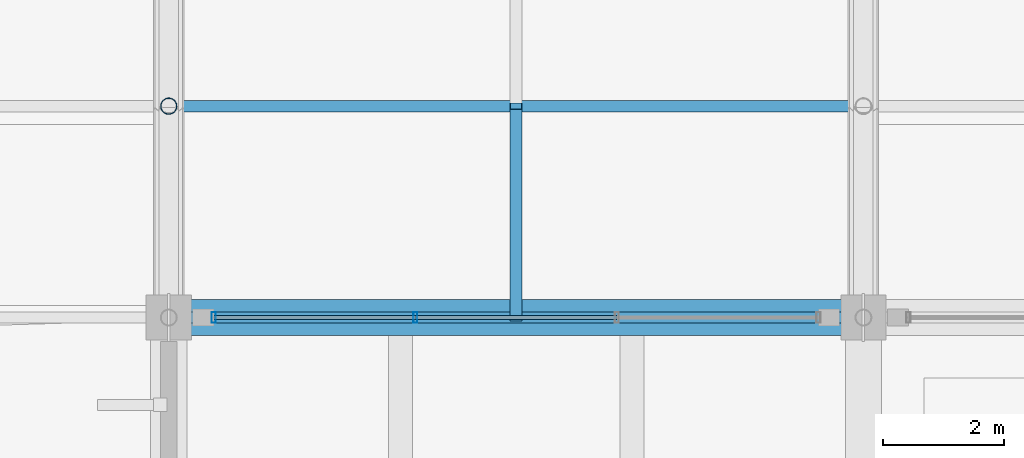
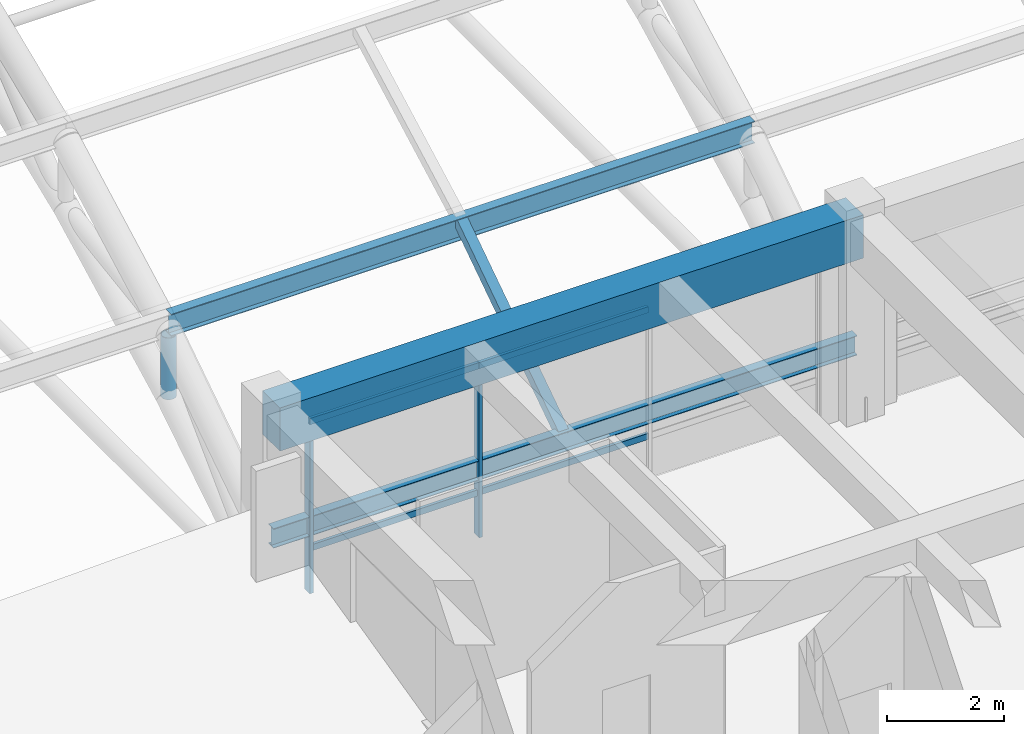
# One storey, part 10 of 154: 10 members, 1 beam, 1 element without a shape of its own.
"""IFC4 building model written with IfcOpenShell, lengths in metres."""

from ifc_helpers import new_model, si_unit, direction, frame, origin, origin_2d, place, context, subcontext, project, spatial, rectangle, hollow_rectangle, hollow_circle, i_section, extrude, material, material_profile, profile_set, type_object, element, aggregate, save


model = new_model("IFC4")

# Units and contexts
model_context = context("Model", 3, precision=1e-05, world=origin(), true_north=direction((0.0, 1.0)))
body_context = subcontext(model_context, "Body", "Model", "MODEL_VIEW")
ifc_project = project(units=[si_unit("LENGTHUNIT", "METRE"), si_unit("AREAUNIT", "SQUARE_METRE"), si_unit("VOLUMEUNIT", "CUBIC_METRE"), si_unit("PLANEANGLEUNIT", "RADIAN"), si_unit("MASSUNIT", "GRAM", prefix="KILO")], contexts=[model_context])

# Site, building, storey
site_placement = place(None, origin())
site = spatial("IfcSite", under=ifc_project, at=site_placement, CompositionType="ELEMENT")
building_placement = place(site_placement, origin())
building = spatial("IfcBuilding", under=site, at=building_placement, Name="Ologun Quay Terminus", CompositionType="ELEMENT")
storey_placement = place(building_placement, frame((0.0, 0.0, 13.800048828125)))
storey = spatial("IfcBuildingStorey", under=building, at=storey_placement, Name="L03", CompositionType="ELEMENT", Elevation=13.800048828125)

# Member
ifc_material_1 = material(Name="Steel S355", Category="steel")
ifc_material_profile_1 = material_profile(ifc_material_1, hollow_circle(Radius=0.136474609375, WallThickness=0.010009765625, at=origin_2d()), Name="CHS 273x10")
ifc_profile_set_1 = profile_set([ifc_material_profile_1], Name="Steel S355")
member_type_1 = type_object("IfcMemberType", Name="Arch Truss Vertical Post CHS273", PredefinedType="STRUT", material=ifc_profile_set_1)
member_1_placement = place(storey_placement, frame((57.5, 39.5, 2.212158203125), z_axis=(0.0, 0.0, 1.0), x_axis=(1.0, 0.0, 0.0)))
element("IfcMember", 1, at=member_1_placement, inside=storey, type_object=member_type_1, Name="AW2 Arch Web Post 6-N1", PredefinedType="STRUT", context=body_context, shape_type="SweptSolid", body=[
    extrude(hollow_circle(Radius=0.136474609375, WallThickness=0.010009765625, at=origin_2d()), origin(), (0.0, 0.0, 1.0), 1.28564453125),
])

# Curtain wall, members
ifc_material_2 = material(Name="Aluminium 6063-T6", Category="aluminium")
curtain_wall_type = type_object("IfcCurtainWallType", Name="South Pavilion Clerestory Curtain Wall 10700x4050", PredefinedType="USERDEFINED", material=ifc_material_2)
curtain_wall_placement = place(storey_placement, origin())
curtain_wall = element("IfcCurtainWall", 2, at=curtain_wall_placement, inside=storey, type_object=curtain_wall_type, Name="CW-07 Curtain Wall CW-L03-040", ObjectType="UNITISED CURTAIN WALL", PredefinedType="USERDEFINED")
ifc_material_3 = material(Name="Aluminium 6063-T6", Category="aluminium")
ifc_material_profile_2 = material_profile(ifc_material_3, hollow_rectangle(XDim=0.070068359375, YDim=0.179931640625, WallThickness=0.0048828125, at=origin_2d()), Name="ALU 180x70x5")
ifc_profile_set_2 = profile_set([ifc_material_profile_2], Name="Aluminium 6063-T6")
member_type_2 = type_object("IfcMemberType", Name="Concourse Clerestory Mullion 180x70", PredefinedType="MULLION", material=ifc_profile_set_2)
member_2_placement = place(storey_placement, frame((58.2451171875, 36.0, 0.0), z_axis=(0.0, 0.0, 1.0), x_axis=(1.0, 0.0, 0.0)))
member_2 = element("IfcMember", 3, at=member_2_placement, type_object=member_type_2, Name="CW-L03-040 Mullion 1", PredefinedType="MULLION", context=body_context, shape_type="SweptSolid", body=[
    extrude(hollow_rectangle(XDim=0.070068359375, YDim=0.179931640625, WallThickness=0.0048828125, at=origin_2d()), origin(), (0.0, 0.0, 1.0), 4.239990234375),
])
member_3_placement = place(storey_placement, frame((61.581787109375, 36.0, 0.0), z_axis=(0.0, 0.0, 1.0), x_axis=(1.0, 0.0, 0.0)))
member_3 = element("IfcMember", 4, at=member_3_placement, type_object=member_type_2, Name="CW-L03-040 Mullion 2", PredefinedType="MULLION", context=body_context, shape_type="SweptSolid", body=[
    extrude(hollow_rectangle(XDim=0.070068359375, YDim=0.179931640625, WallThickness=0.0048828125, at=origin_2d()), origin(), (0.0, 0.0, 1.0), 4.239990234375),
])
ifc_material_4 = material(Name="Aluminium 6063-T6", Category="aluminium")
ifc_material_profile_3 = material_profile(ifc_material_4, hollow_rectangle(XDim=0.06005859375, YDim=0.1298828125, WallThickness=0.00390625, at=origin_2d()), Name="ALU 130x60x4")
ifc_profile_set_3 = profile_set([ifc_material_profile_3], Name="Aluminium 6063-T6")
member_type_3 = type_object("IfcMemberType", Name="Concourse Clerestory Transom 130x60", PredefinedType="USERDEFINED", material=ifc_profile_set_3)
member_4_placement = place(storey_placement, frame((58.2451171875, 36.0, 0.89990234375), z_axis=(1.0, 0.0, 0.0), x_axis=(0.0, 1.0, 0.0)))
member_4 = element("IfcMember", 5, at=member_4_placement, type_object=member_type_3, Name="CW-L03-040 Transom B1-1", ObjectType="TRANSOM", PredefinedType="USERDEFINED", context=body_context, shape_type="SweptSolid", body=[
    extrude(hollow_rectangle(XDim=0.06005859375, YDim=0.1298828125, WallThickness=0.00390625, at=origin_2d()), origin(), (0.0, 0.0, 1.0), 3.336669921875),
])
member_5_placement = place(storey_placement, frame((58.2451171875, 36.0, 3.5400390625), z_axis=(1.0, 0.0, 0.0), x_axis=(0.0, 1.0, 0.0)))
member_5 = element("IfcMember", 6, at=member_5_placement, type_object=member_type_3, Name="CW-L03-040 Transom B1-2", ObjectType="TRANSOM", PredefinedType="USERDEFINED", context=body_context, shape_type="SweptSolid", body=[
    extrude(hollow_rectangle(XDim=0.06005859375, YDim=0.1298828125, WallThickness=0.00390625, at=origin_2d()), origin(), (0.0, 0.0, 1.0), 3.336669921875),
])
member_6_placement = place(storey_placement, frame((61.581787109375, 36.0, 0.89990234375), z_axis=(1.0, 0.0, 0.0), x_axis=(0.0, 1.0, 0.0)))
member_6 = element("IfcMember", 7, at=member_6_placement, type_object=member_type_3, Name="CW-L03-040 Transom B2-1", ObjectType="TRANSOM", PredefinedType="USERDEFINED", context=body_context, shape_type="SweptSolid", body=[
    extrude(hollow_rectangle(XDim=0.06005859375, YDim=0.1298828125, WallThickness=0.00390625, at=origin_2d()), origin(), (0.0, 0.0, 1.0), 3.33642578125),
])
member_7_placement = place(storey_placement, frame((61.581787109375, 36.0, 3.5400390625), z_axis=(1.0, 0.0, 0.0), x_axis=(0.0, 1.0, 0.0)))
member_7 = element("IfcMember", 8, at=member_7_placement, type_object=member_type_3, Name="CW-L03-040 Transom B2-2", ObjectType="TRANSOM", PredefinedType="USERDEFINED", context=body_context, shape_type="SweptSolid", body=[
    extrude(hollow_rectangle(XDim=0.06005859375, YDim=0.1298828125, WallThickness=0.00390625, at=origin_2d()), origin(), (0.0, 0.0, 1.0), 3.33642578125),
])
aggregate(curtain_wall, [member_2, member_3, member_4, member_5, member_6, member_7])

# Member
ifc_material_5 = material(Name="Steel S355", Category="steel")
ifc_material_profile_4 = material_profile(ifc_material_5, hollow_rectangle(XDim=0.199951171875, YDim=0.199951171875, WallThickness=0.008056640625, at=origin_2d()), Name="SHS 200x200x8")
ifc_profile_set_4 = profile_set([ifc_material_profile_4], Name="Steel S355")
member_type_4 = type_object("IfcMemberType", Name="Skylight Cross Transom Bar RHS150", PredefinedType="STRUT", material=ifc_profile_set_4)
member_8_placement = place(storey_placement, frame((63.25, 36.0, 1.50341796875), z_axis=(0.0, 0.830398014247, 0.55717065423), x_axis=(-1.0, 0.0, 0.0)))
element("IfcMember", 9, at=member_8_placement, inside=storey, type_object=member_type_4, Name="SK2 Eave Secondary Rafter B6-P1", PredefinedType="STRUT", context=body_context, shape_type="SweptSolid", body=[
    extrude(hollow_rectangle(XDim=0.199951171875, YDim=0.199951171875, WallThickness=0.008056640625, at=origin_2d()), origin(), (0.0, 0.0, 1.0), 4.21484375),
])

# Beam
ifc_material_6 = material(Name="Concrete C40/50", Category="concrete")
ifc_material_profile_5 = material_profile(ifc_material_6, rectangle(XDim=0.60009765625, YDim=0.89990234375, at=origin_2d()), Name="RC 600x900")
ifc_profile_set_5 = profile_set([ifc_material_profile_5], Name="Concrete C40/50")
beam_type = type_object("IfcBeamType", Name="Station Frame Girder 600x900", PredefinedType="BEAM", material=ifc_profile_set_5)
beam_placement = place(storey_placement, frame((57.5, 36.0, 3.800048828125), z_axis=(1.0, 0.0, 0.0), x_axis=(0.0, 1.0, 0.0)))
element("IfcBeam", 10, at=beam_placement, inside=storey, type_object=beam_type, Name="B3 Beam 6/E L03", PredefinedType="BEAM", context=body_context, shape_type="SweptSolid", body=[
    extrude(rectangle(XDim=0.60009765625, YDim=0.89990234375, at=origin_2d()), origin(), (0.0, 0.0, 1.0), 11.5),
])

# Members
ifc_material_7 = material(Name="Steel S355", Category="steel")
ifc_material_profile_6 = material_profile(ifc_material_7, i_section(OverallWidth=0.177978515625, OverallDepth=0.406494140625, WebThickness=0.0078125, FlangeThickness=0.0126953125, at=origin_2d()), Name="UKB 406x178x60")
ifc_profile_set_6 = profile_set([ifc_material_profile_6], Name="Steel S355")
member_type_5 = type_object("IfcMemberType", Name="Train Shed Eave & Ridge Purlin UKB406", PredefinedType="PURLIN", material=ifc_profile_set_6)
member_9_placement = place(storey_placement, frame((57.5, 36.0, 1.403076171875), z_axis=(1.0, 0.0, 0.0), x_axis=(0.0, 1.0, 0.0)))
element("IfcMember", 11, at=member_9_placement, inside=storey, type_object=member_type_5, Name="PR2 Roof Purlin B6-N0", PredefinedType="PURLIN", context=body_context, shape_type="SweptSolid", body=[
    extrude(i_section(OverallWidth=0.177978515625, OverallDepth=0.406494140625, WebThickness=0.0078125, FlangeThickness=0.0126953125, at=origin_2d()), origin(), (0.0, 0.0, 1.0), 11.5),
])
ifc_material_8 = material(Name="Steel S355", Category="steel")
ifc_material_profile_7 = material_profile(ifc_material_8, i_section(OverallWidth=0.1904296875, OverallDepth=0.45703125, WebThickness=0.009033203125, FlangeThickness=0.014404296875, at=origin_2d()), Name="UKB 457x191x74")
ifc_profile_set_7 = profile_set([ifc_material_profile_7], Name="Steel S355")
member_type_6 = type_object("IfcMemberType", Name="Train Shed Primary Roof Purlin UKB457", PredefinedType="PURLIN", material=ifc_profile_set_7)
member_10_placement = place(storey_placement, frame((57.5, 39.5, 3.726318359375), z_axis=(1.0, 0.0, 0.0), x_axis=(0.0, 1.0, 0.0)))
element("IfcMember", 12, at=member_10_placement, inside=storey, type_object=member_type_6, Name="PR1 Roof Purlin B6-N1", PredefinedType="PURLIN", context=body_context, shape_type="SweptSolid", body=[
    extrude(i_section(OverallWidth=0.1904296875, OverallDepth=0.45703125, WebThickness=0.009033203125, FlangeThickness=0.014404296875, at=origin_2d()), origin(), (0.0, 0.0, 1.0), 11.5),
])

save(model, "model.ifc")
